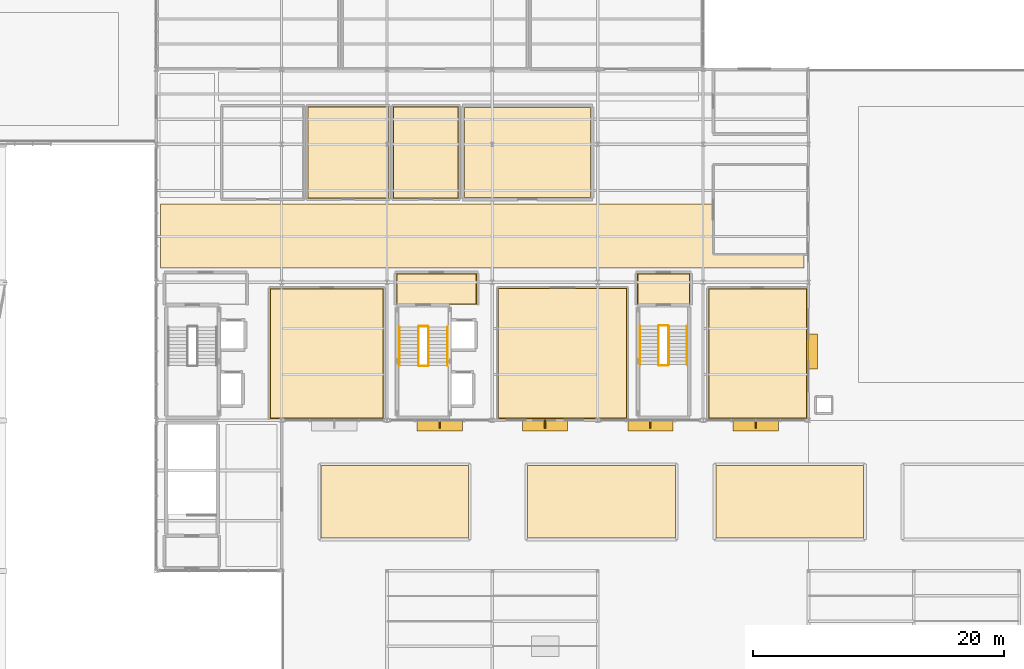
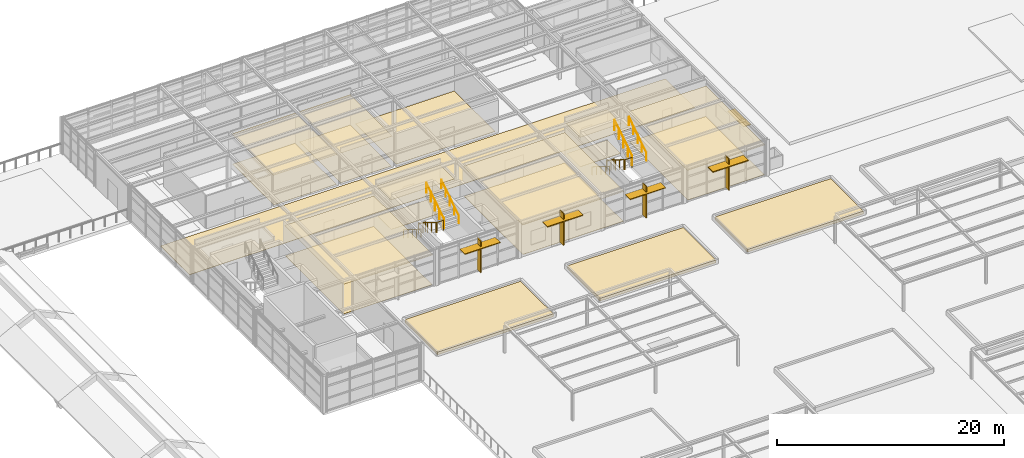
# One storey, part 48 of 49: 19 coverings, 12 railings, 9 shading devices.
"""IFC4 building model written with IfcOpenShell, lengths in metres."""

from ifc_helpers import new_model, si_unit, direction, frame, origin, origin_2d, place, context, subcontext, project, spatial, polyline, rectangle, circle, outline, extrude, material, layer, layer_set, type_object, element, save


model = new_model("IFC4")

# Units and contexts
model_context = context("Model", 3, precision=1e-05, world=origin(), true_north=direction((0.0, 1.0)))
body_context = subcontext(model_context, "Body", "Model", "MODEL_VIEW")
ifc_project = project(units=[si_unit("LENGTHUNIT", "METRE"), si_unit("AREAUNIT", "SQUARE_METRE"), si_unit("VOLUMEUNIT", "CUBIC_METRE"), si_unit("PLANEANGLEUNIT", "RADIAN"), si_unit("MASSUNIT", "GRAM", prefix="KILO")], contexts=[model_context])

# Site, building, storey
site_placement = place(None, origin())
site = spatial("IfcSite", under=ifc_project, at=site_placement, CompositionType="ELEMENT")
building_placement = place(site_placement, origin())
building = spatial("IfcBuilding", under=site, at=building_placement, Name="Sitalva Quay Ferry Terminal", CompositionType="ELEMENT")
storey_placement = place(building_placement, frame((0.0, 0.0, 10.199951171875)))
storey = spatial("IfcBuildingStorey", under=building, at=storey_placement, Name="L03", CompositionType="ELEMENT", Elevation=10.199951171875)

# Coverings
ifc_material_1 = material(Name="Perforated Marine Aluminium Acoustic Ceiling", Category="aluminium")
ifc_layer_1 = layer(ifc_material_1, 0.0400390625)
ifc_layer_set_1 = layer_set([ifc_layer_1], Name="Perforated Marine Aluminium Acoustic Ceiling")
covering_type_1 = type_object("IfcCoveringType", Name="Ceiling_AcousticBaffle_40", PredefinedType="CEILING", material=ifc_layer_set_1)
covering_1_placement = place(storey_placement, frame((0.0, 0.0, 3.2099609375)))
element("IfcCovering", 1, at=covering_1_placement, inside=storey, type_object=covering_type_1, Name="BIWTA Port Operations Open-Plan Office ceiling", PredefinedType="CEILING", context=body_context, shape_type="SweptSolid", body=[
    extrude(outline(polyline([(83.0625, 78.1201171875), (92.137451171875, 78.1201171875), (92.137451171875, 88.53759765625), (83.0625, 88.53759765625), (83.0625, 78.1201171875)])), origin(), (0.0, 0.0, 1.0), 0.0400390625),
])
covering_2_placement = place(storey_placement, frame((0.0, 0.0, 3.2099609375)))
element("IfcCovering", 2, at=covering_2_placement, inside=storey, type_object=covering_type_1, Name="Roof Park Gallery & Exhibition Lounge ceiling", PredefinedType="CEILING", context=body_context, shape_type="SweptSolid", body=[
    extrude(outline(polyline([(101.25, 78.1201171875), (111.550048828125, 78.1201171875), (111.550048828125, 88.550048828125), (101.25, 88.550048828125), (101.25, 78.1201171875)])), origin(), (0.0, 0.0, 1.0), 0.0400390625),
])
covering_3_placement = place(storey_placement, frame((0.0, 0.0, 3.2099609375)))
element("IfcCovering", 3, at=covering_3_placement, inside=storey, type_object=covering_type_1, Name="Hydrographic Survey & River Charting Suite ceiling", PredefinedType="CEILING", context=body_context, shape_type="SweptSolid", body=[
    extrude(outline(polyline([(118.012451171875, 78.1201171875), (125.8798828125, 78.1201171875), (125.8798828125, 88.53759765625), (118.012451171875, 88.53759765625), (118.012451171875, 78.1201171875)])), origin(), (0.0, 0.0, 1.0), 0.0400390625),
])
ifc_material_2 = material(Name="Moisture-Resistant Acoustic Gypsum Ceiling", Category="gypsum")
ifc_layer_2 = layer(ifc_material_2, 0.02490234375)
ifc_layer_set_2 = layer_set([ifc_layer_2], Name="Moisture-Resistant Acoustic Gypsum Ceiling")
covering_type_2 = type_object("IfcCoveringType", Name="Ceiling_GypsumMoisture_25", PredefinedType="CEILING", material=ifc_layer_set_2)
covering_4_placement = place(storey_placement, frame((0.0, 0.0, 3.22509765625)))
element("IfcCovering", 4, at=covering_4_placement, inside=storey, type_object=covering_type_2, Name="Firefighting & Lift Lobby C2 ceiling", PredefinedType="CEILING", context=body_context, shape_type="SweptSolid", body=[
    extrude(outline(polyline([(93.139892578125, 87.239990234375), (99.56005859375, 87.239990234375), (99.56005859375, 89.7099609375), (93.139892578125, 89.7099609375), (93.139892578125, 87.239990234375)])), origin(), (0.0, 0.0, 1.0), 0.02490234375),
])
covering_5_placement = place(storey_placement, frame((0.0, 0.0, 3.22509765625)))
element("IfcCovering", 5, at=covering_5_placement, inside=storey, type_object=covering_type_2, Name="Firefighting & Lift Lobby C4 ceiling", PredefinedType="CEILING", context=body_context, shape_type="SweptSolid", body=[
    extrude(outline(polyline([(112.340087890625, 87.239990234375), (116.56005859375, 87.239990234375), (116.56005859375, 89.7099609375), (112.340087890625, 89.7099609375), (112.340087890625, 87.239990234375)])), origin(), (0.0, 0.0, 1.0), 0.02490234375),
])
covering_6_placement = place(storey_placement, frame((0.0, 0.0, 3.22509765625)))
element("IfcCovering", 6, at=covering_6_placement, inside=storey, type_object=covering_type_2, Name="L03 Female Staff Toilets ceiling", PredefinedType="CEILING", context=body_context, shape_type="SweptSolid", body=[
    extrude(outline(polyline([(86.070068359375, 95.669921875), (92.530029296875, 95.669921875), (92.530029296875, 103.030029296875), (86.070068359375, 103.030029296875), (86.070068359375, 95.669921875)])), origin(), (0.0, 0.0, 1.0), 0.02490234375),
])
covering_7_placement = place(storey_placement, frame((0.0, 0.0, 3.22509765625)))
element("IfcCovering", 7, at=covering_7_placement, inside=storey, type_object=covering_type_2, Name="L03 Accessible WC ceiling", PredefinedType="CEILING", context=body_context, shape_type="SweptSolid", body=[
    extrude(outline(polyline([(92.8701171875, 95.669921875), (98.1298828125, 95.669921875), (98.1298828125, 103.030029296875), (92.8701171875, 103.030029296875), (92.8701171875, 95.669921875)])), origin(), (0.0, 0.0, 1.0), 0.02490234375),
])
ifc_material_3 = material(Name="Planted Roof Garden Soil & Native Monsoon Flora", Category="earth")
ifc_layer_3 = layer(ifc_material_3, 0.300048828125)
ifc_layer_set_3 = layer_set([ifc_layer_3], Name="Planted Roof Garden Soil & Native Monsoon Flora")
covering_type_3 = type_object("IfcCoveringType", Name="Covering_PlantedParterre_300", PredefinedType="FLOORING", material=ifc_layer_set_3)
covering_8_placement = place(storey_placement, origin())
element("IfcCovering", 8, at=covering_8_placement, inside=storey, type_object=covering_type_3, Name="Landscaped roof-park planted parterre bed 09", PredefinedType="FLOORING", context=body_context, shape_type="SweptSolid", body=[
    extrude(outline(polyline([(87.1201171875, 68.6201171875), (98.8798828125, 68.6201171875), (98.8798828125, 74.3798828125), (87.1201171875, 74.3798828125), (87.1201171875, 68.6201171875)])), origin(), (0.0, 0.0, 1.0), 0.300048828125),
])
covering_9_placement = place(storey_placement, origin())
element("IfcCovering", 9, at=covering_9_placement, inside=storey, type_object=covering_type_3, Name="Landscaped roof-park planted parterre bed 10", PredefinedType="FLOORING", context=body_context, shape_type="SweptSolid", body=[
    extrude(outline(polyline([(103.6201171875, 68.6201171875), (115.3798828125, 68.6201171875), (115.3798828125, 74.3798828125), (103.6201171875, 74.3798828125), (103.6201171875, 68.6201171875)])), origin(), (0.0, 0.0, 1.0), 0.300048828125),
])
covering_10_placement = place(storey_placement, origin())
element("IfcCovering", 10, at=covering_10_placement, inside=storey, type_object=covering_type_3, Name="Landscaped roof-park planted parterre bed 11", PredefinedType="FLOORING", context=body_context, shape_type="SweptSolid", body=[
    extrude(outline(polyline([(118.6201171875, 68.6201171875), (130.3798828125, 68.6201171875), (130.3798828125, 74.3798828125), (118.6201171875, 74.3798828125), (118.6201171875, 68.6201171875)])), origin(), (0.0, 0.0, 1.0), 0.300048828125),
])
ifc_material_4 = material(Name="Heavy-Duty Acoustic Resilient Flooring", Category="polymer")
ifc_layer_4 = layer(ifc_material_4, 0.014892578125)
ifc_layer_set_4 = layer_set([ifc_layer_4], Name="Heavy-Duty Acoustic Resilient Flooring")
covering_type_4 = type_object("IfcCoveringType", Name="Finish_AcousticVinyl_15", PredefinedType="FLOORING", material=ifc_layer_set_4)
covering_11_placement = place(storey_placement, origin())
element("IfcCovering", 11, at=covering_11_placement, inside=storey, type_object=covering_type_4, Name="BIWTA Port Operations Open-Plan Office floor finish", PredefinedType="FLOORING", context=body_context, shape_type="SweptSolid", body=[
    extrude(outline(polyline([(83.112548828125, 78.169921875), (92.08740234375, 78.169921875), (92.08740234375, 88.487548828125), (83.112548828125, 88.487548828125), (83.112548828125, 78.169921875)])), origin(), (0.0, 0.0, 1.0), 0.01513671875),
])
covering_12_placement = place(storey_placement, origin())
element("IfcCovering", 12, at=covering_12_placement, inside=storey, type_object=covering_type_4, Name="Hydrographic Survey & River Charting Suite floor finish", PredefinedType="FLOORING", context=body_context, shape_type="SweptSolid", body=[
    extrude(outline(polyline([(118.0625, 78.169921875), (125.830078125, 78.169921875), (125.830078125, 88.487548828125), (118.0625, 88.487548828125), (118.0625, 78.169921875)])), origin(), (0.0, 0.0, 1.0), 0.01513671875),
])
ifc_material_5 = material(Name="Anti-Slip Porcelain Tile", Category="ceramic")
ifc_layer_5 = layer(ifc_material_5, 0.02001953125)
ifc_layer_set_5 = layer_set([ifc_layer_5], Name="Anti-Slip Porcelain Tile")
covering_type_5 = type_object("IfcCoveringType", Name="Finish_CeramicWet_20", PredefinedType="FLOORING", material=ifc_layer_set_5)
covering_13_placement = place(storey_placement, origin())
element("IfcCovering", 13, at=covering_13_placement, inside=storey, type_object=covering_type_5, Name="L03 Female Staff Toilets floor finish", PredefinedType="FLOORING", context=body_context, shape_type="SweptSolid", body=[
    extrude(outline(polyline([(86.1201171875, 95.719970703125), (92.47998046875, 95.719970703125), (92.47998046875, 102.97998046875), (86.1201171875, 102.97998046875), (86.1201171875, 95.719970703125)])), origin(), (0.0, 0.0, 1.0), 0.02001953125),
])
covering_14_placement = place(storey_placement, origin())
element("IfcCovering", 14, at=covering_14_placement, inside=storey, type_object=covering_type_5, Name="L03 Accessible WC floor finish", PredefinedType="FLOORING", context=body_context, shape_type="SweptSolid", body=[
    extrude(outline(polyline([(92.919921875, 95.719970703125), (98.080078125, 95.719970703125), (98.080078125, 102.97998046875), (92.919921875, 102.97998046875), (92.919921875, 95.719970703125)])), origin(), (0.0, 0.0, 1.0), 0.02001953125),
])
ifc_material_6 = material(Name="Chemical-Resistant Epoxy Screed", Category="polymer")
ifc_layer_6 = layer(ifc_material_6, 0.011962890625)
ifc_layer_set_6 = layer_set([ifc_layer_6], Name="Chemical-Resistant Epoxy Screed")
covering_type_6 = type_object("IfcCoveringType", Name="Finish_EpoxyPlant_12", PredefinedType="FLOORING", material=ifc_layer_set_6)
covering_15_placement = place(storey_placement, origin())
element("IfcCovering", 15, at=covering_15_placement, inside=storey, type_object=covering_type_6, Name="Telecoms & UPS Battery Plant floor finish", PredefinedType="FLOORING", context=body_context, shape_type="SweptSolid", body=[
    extrude(outline(polyline([(98.570068359375, 95.77001953125), (108.6298828125, 95.77001953125), (108.6298828125, 102.929931640625), (98.570068359375, 102.929931640625), (98.570068359375, 95.77001953125)])), origin(), (0.0, 0.0, 1.0), 0.011962890625),
])
ifc_material_7 = material(Name="Flamed Non-Slip Granite Paving", Category="masonry")
ifc_layer_7 = layer(ifc_material_7, 0.034912109375)
ifc_layer_set_7 = layer_set([ifc_layer_7], Name="Flamed Non-Slip Granite Paving")
covering_type_7 = type_object("IfcCoveringType", Name="Finish_Granite_35", PredefinedType="FLOORING", material=ifc_layer_set_7)
covering_16_placement = place(storey_placement, origin())
element("IfcCovering", 16, at=covering_16_placement, inside=storey, type_object=covering_type_7, Name="Firefighting & Lift Lobby C2 floor finish", PredefinedType="FLOORING", context=body_context, shape_type="SweptSolid", body=[
    extrude(outline(polyline([(93.18994140625, 87.2900390625), (99.510009765625, 87.2900390625), (99.510009765625, 89.659912109375), (93.18994140625, 89.659912109375), (93.18994140625, 87.2900390625)])), origin(), (0.0, 0.0, 1.0), 0.03515625),
])
covering_17_placement = place(storey_placement, origin())
element("IfcCovering", 17, at=covering_17_placement, inside=storey, type_object=covering_type_7, Name="Firefighting & Lift Lobby C4 floor finish", PredefinedType="FLOORING", context=body_context, shape_type="SweptSolid", body=[
    extrude(outline(polyline([(112.389892578125, 87.2900390625), (116.510009765625, 87.2900390625), (116.510009765625, 89.659912109375), (112.389892578125, 89.659912109375), (112.389892578125, 87.2900390625)])), origin(), (0.0, 0.0, 1.0), 0.03515625),
])
covering_18_placement = place(storey_placement, origin())
element("IfcCovering", 18, at=covering_18_placement, inside=storey, type_object=covering_type_7, Name="L03 Maritime Administration Corridor flooring", PredefinedType="FLOORING", context=body_context, shape_type="SweptSolid", body=[
    extrude(outline(polyline([(74.35009765625, 90.14990234375), (125.64990234375, 90.14990234375), (125.64990234375, 95.25), (74.35009765625, 95.25), (74.35009765625, 90.14990234375)])), origin(), (0.0, 0.0, 1.0), 0.03515625),
])
ifc_material_8 = material(Name="Polished River-Stone Terrazzo", Category="masonry")
ifc_layer_8 = layer(ifc_material_8, 0.030029296875)
ifc_layer_set_8 = layer_set([ifc_layer_8], Name="Polished River-Stone Terrazzo")
covering_type_8 = type_object("IfcCoveringType", Name="Finish_Terrazzo_30", PredefinedType="FLOORING", material=ifc_layer_set_8)
covering_19_placement = place(storey_placement, origin())
element("IfcCovering", 19, at=covering_19_placement, inside=storey, type_object=covering_type_8, Name="Roof Park Gallery & Exhibition Lounge floor finish", PredefinedType="FLOORING", context=body_context, shape_type="SweptSolid", body=[
    extrude(outline(polyline([(101.300048828125, 78.169921875), (111.5, 78.169921875), (111.5, 88.5), (101.300048828125, 88.5), (101.300048828125, 78.169921875)])), origin(), (0.0, 0.0, 1.0), 0.030029296875),
])

# Railings
ifc_material_9 = material(Name="Galvanised Steel S275JR", Category="steel")
railing_type_1 = type_object("IfcRailingType", Name="Railing_Guard_1100", PredefinedType="GUARDRAIL", material=ifc_material_9)
railing_1_placement = place(storey_placement, frame((94.89990234375, 85.449951171875, 0.175048828125)))
element("IfcRailing", 20, at=railing_1_placement, inside=storey, type_object=railing_type_1, Name="L03 ST-02 stair guard 1", PredefinedType="GUARDRAIL", context=body_context, shape_type="SweptSolid", body=[
    extrude(circle(Radius=0.02392578125, at=origin_2d()), frame((0.0, 0.0, 1.076171875), z_axis=(0.0, -0.847979421464, 0.530029150871), x_axis=(1.0, 0.0, 0.0)), (0.0, 0.0, 1.0), 3.632080078125),
    extrude(circle(Radius=0.02099609375, at=origin_2d()), origin(), (0.0, 0.0, 1.0), 1.052001953125),
    extrude(circle(Radius=0.02099609375, at=origin_2d()), frame((0.0, -0.77001953125, 0.481201171875)), (0.0, 0.0, 1.0), 1.052001953125),
    extrude(circle(Radius=0.02099609375, at=origin_2d()), frame((0.0, -1.5400390625, 0.96240234375)), (0.0, 0.0, 1.0), 1.052001953125),
    extrude(circle(Radius=0.02099609375, at=origin_2d()), frame((0.0, -2.309814453125, 1.44384765625)), (0.0, 0.0, 1.0), 1.052001953125),
    extrude(circle(Radius=0.02099609375, at=origin_2d()), frame((0.0, -3.079833984375, 1.925048828125)), (0.0, 0.0, 1.0), 1.052001953125),
])
railing_2_placement = place(storey_placement, frame((94.949951171875, 82.320068359375, 2.10009765625)))
element("IfcRailing", 21, at=railing_2_placement, inside=storey, type_object=railing_type_1, Name="L03 ST-02 stair guard 2", PredefinedType="GUARDRAIL", context=body_context, shape_type="SweptSolid", body=[
    extrude(circle(Radius=0.02392578125, at=origin_2d()), frame((0.0, 0.0, 1.076171875), z_axis=(1.0, 0.0, 0.0), x_axis=(0.0, 1.0, 0.0)), (0.0, 0.0, 1.0), 0.699951171875),
    extrude(circle(Radius=0.02099609375, at=origin_2d()), origin(), (0.0, 0.0, 1.0), 1.052001953125),
    extrude(circle(Radius=0.02099609375, at=origin_2d()), frame((0.699951171875, 0.0, 0.0)), (0.0, 0.0, 1.0), 1.052001953125),
])
railing_3_placement = place(storey_placement, frame((95.699951171875, 82.3701171875, 2.275146484375)))
element("IfcRailing", 22, at=railing_3_placement, inside=storey, type_object=railing_type_1, Name="L03 ST-02 stair guard 3", PredefinedType="GUARDRAIL", context=body_context, shape_type="SweptSolid", body=[
    extrude(circle(Radius=0.02392578125, at=origin_2d()), frame((0.0, 0.0, 1.076171875), z_axis=(0.0, 0.848009633417, 0.529980812513), x_axis=(-1.0, 0.0, 0.0)), (0.0, 0.0, 1.0), 3.6318359375),
    extrude(circle(Radius=0.02099609375, at=origin_2d()), origin(), (0.0, 0.0, 1.0), 1.052001953125),
    extrude(circle(Radius=0.02099609375, at=origin_2d()), frame((0.0, 0.77001953125, 0.481201171875)), (0.0, 0.0, 1.0), 1.052001953125),
    extrude(circle(Radius=0.02099609375, at=origin_2d()), frame((0.0, 1.5400390625, 0.96240234375)), (0.0, 0.0, 1.0), 1.052001953125),
    extrude(circle(Radius=0.02099609375, at=origin_2d()), frame((0.0, 2.309814453125, 1.443603515625)), (0.0, 0.0, 1.0), 1.052001953125),
    extrude(circle(Radius=0.02099609375, at=origin_2d()), frame((0.0, 3.079833984375, 1.9248046875)), (0.0, 0.0, 1.0), 1.052001953125),
])
railing_4_placement = place(storey_placement, frame((94.949951171875, 85.5, 0.0)))
element("IfcRailing", 23, at=railing_4_placement, inside=storey, type_object=railing_type_1, Name="L03 ST-02 stair guard 4", PredefinedType="GUARDRAIL", context=body_context, shape_type="SweptSolid", body=[
    extrude(circle(Radius=0.02392578125, at=origin_2d()), frame((0.0, 0.0, 1.076171875), z_axis=(1.0, 0.0, 0.0), x_axis=(0.0, 1.0, 0.0)), (0.0, 0.0, 1.0), 0.699951171875),
    extrude(circle(Radius=0.02099609375, at=origin_2d()), origin(), (0.0, 0.0, 1.0), 1.052001953125),
    extrude(circle(Radius=0.02099609375, at=origin_2d()), frame((0.699951171875, 0.0, 0.0)), (0.0, 0.0, 1.0), 1.052001953125),
])
railing_5_placement = place(storey_placement, frame((114.0400390625, 85.510009765625, 0.175048828125)))
element("IfcRailing", 24, at=railing_5_placement, inside=storey, type_object=railing_type_1, Name="L03 ST-04 stair guard 1", PredefinedType="GUARDRAIL", context=body_context, shape_type="SweptSolid", body=[
    extrude(circle(Radius=0.02392578125, at=origin_2d()), frame((0.0, 0.0, 1.076171875), z_axis=(0.0, -0.847998304005, 0.529998940003), x_axis=(1.0, 0.0, 0.0)), (0.0, 0.0, 1.0), 3.632080078125),
    extrude(circle(Radius=0.02099609375, at=origin_2d()), origin(), (0.0, 0.0, 1.0), 1.052001953125),
    extrude(circle(Radius=0.02099609375, at=origin_2d()), frame((0.0, -0.77001953125, 0.481201171875)), (0.0, 0.0, 1.0), 1.052001953125),
    extrude(circle(Radius=0.02099609375, at=origin_2d()), frame((0.0, -1.5400390625, 0.96240234375)), (0.0, 0.0, 1.0), 1.052001953125),
    extrude(circle(Radius=0.02099609375, at=origin_2d()), frame((0.0, -2.31005859375, 1.44384765625)), (0.0, 0.0, 1.0), 1.052001953125),
    extrude(circle(Radius=0.02099609375, at=origin_2d()), frame((0.0, -3.080078125, 1.925048828125)), (0.0, 0.0, 1.0), 1.052001953125),
])
railing_6_placement = place(storey_placement, frame((114.090087890625, 82.3798828125, 2.10009765625)))
element("IfcRailing", 25, at=railing_6_placement, inside=storey, type_object=railing_type_1, Name="L03 ST-04 stair guard 2", PredefinedType="GUARDRAIL", context=body_context, shape_type="SweptSolid", body=[
    extrude(circle(Radius=0.02392578125, at=origin_2d()), frame((0.0, 0.0, 1.076171875), z_axis=(1.0, 0.0, 0.0), x_axis=(0.0, 1.0, 0.0)), (0.0, 0.0, 1.0), 0.719970703125),
    extrude(circle(Radius=0.02099609375, at=origin_2d()), origin(), (0.0, 0.0, 1.0), 1.052001953125),
    extrude(circle(Radius=0.02099609375, at=origin_2d()), frame((0.719970703125, 0.0, 0.0)), (0.0, 0.0, 1.0), 1.052001953125),
])
railing_7_placement = place(storey_placement, frame((114.860107421875, 82.429931640625, 2.275146484375)))
element("IfcRailing", 26, at=railing_7_placement, inside=storey, type_object=railing_type_1, Name="L03 ST-04 stair guard 3", PredefinedType="GUARDRAIL", context=body_context, shape_type="SweptSolid", body=[
    extrude(circle(Radius=0.02392578125, at=origin_2d()), frame((0.0, 0.0, 1.076171875), z_axis=(0.0, 0.848028513186, 0.529950602248), x_axis=(-1.0, 0.0, 0.0)), (0.0, 0.0, 1.0), 3.632080078125),
    extrude(circle(Radius=0.02099609375, at=origin_2d()), origin(), (0.0, 0.0, 1.0), 1.052001953125),
    extrude(circle(Radius=0.02099609375, at=origin_2d()), frame((0.0, 0.77001953125, 0.481201171875)), (0.0, 0.0, 1.0), 1.052001953125),
    extrude(circle(Radius=0.02099609375, at=origin_2d()), frame((0.0, 1.5400390625, 0.96240234375)), (0.0, 0.0, 1.0), 1.052001953125),
    extrude(circle(Radius=0.02099609375, at=origin_2d()), frame((0.0, 2.31005859375, 1.443603515625)), (0.0, 0.0, 1.0), 1.052001953125),
    extrude(circle(Radius=0.02099609375, at=origin_2d()), frame((0.0, 3.080078125, 1.9248046875)), (0.0, 0.0, 1.0), 1.052001953125),
])
railing_8_placement = place(storey_placement, frame((114.090087890625, 85.56005859375, 0.0)))
element("IfcRailing", 27, at=railing_8_placement, inside=storey, type_object=railing_type_1, Name="L03 ST-04 stair guard 4", PredefinedType="GUARDRAIL", context=body_context, shape_type="SweptSolid", body=[
    extrude(circle(Radius=0.02392578125, at=origin_2d()), frame((0.0, 0.0, 1.076171875), z_axis=(1.0, 0.0, 0.0), x_axis=(0.0, 1.0, 0.0)), (0.0, 0.0, 1.0), 0.719970703125),
    extrude(circle(Radius=0.02099609375, at=origin_2d()), origin(), (0.0, 0.0, 1.0), 1.052001953125),
    extrude(circle(Radius=0.02099609375, at=origin_2d()), frame((0.719970703125, 0.0, 0.0)), (0.0, 0.0, 1.0), 1.052001953125),
])
ifc_material_10 = material(Name="Stainless Steel 316L", Category="steel")
railing_type_2 = type_object("IfcRailingType", Name="Railing_Handrail_900", PredefinedType="HANDRAIL", material=ifc_material_10)
railing_9_placement = place(storey_placement, frame((93.3798828125, 85.449951171875, 0.175048828125)))
element("IfcRailing", 28, at=railing_9_placement, inside=storey, type_object=railing_type_2, Name="L03 ST-02 stair handrail 1", PredefinedType="HANDRAIL", context=body_context, shape_type="SweptSolid", body=[
    extrude(circle(Radius=0.02392578125, at=origin_2d()), frame((0.0, 0.0, 0.8759765625), z_axis=(0.0, -0.847979421464, 0.530029150871), x_axis=(1.0, 0.0, 0.0)), (0.0, 0.0, 1.0), 3.632080078125),
    extrude(circle(Radius=0.02099609375, at=origin_2d()), origin(), (0.0, 0.0, 1.0), 0.851806640625),
    extrude(circle(Radius=0.02099609375, at=origin_2d()), frame((0.0, -0.77001953125, 0.481201171875)), (0.0, 0.0, 1.0), 0.851806640625),
    extrude(circle(Radius=0.02099609375, at=origin_2d()), frame((0.0, -1.5400390625, 0.96240234375)), (0.0, 0.0, 1.0), 0.851806640625),
    extrude(circle(Radius=0.02099609375, at=origin_2d()), frame((0.0, -2.309814453125, 1.44384765625)), (0.0, 0.0, 1.0), 0.851806640625),
    extrude(circle(Radius=0.02099609375, at=origin_2d()), frame((0.0, -3.079833984375, 1.925048828125)), (0.0, 0.0, 1.0), 0.851806640625),
])
railing_10_placement = place(storey_placement, frame((97.219970703125, 82.3701171875, 2.275146484375)))
element("IfcRailing", 29, at=railing_10_placement, inside=storey, type_object=railing_type_2, Name="L03 ST-02 stair handrail 2", PredefinedType="HANDRAIL", context=body_context, shape_type="SweptSolid", body=[
    extrude(circle(Radius=0.02392578125, at=origin_2d()), frame((0.0, 0.0, 0.8759765625), z_axis=(0.0, 0.848009633417, 0.529980812513), x_axis=(-1.0, 0.0, 0.0)), (0.0, 0.0, 1.0), 3.6318359375),
    extrude(circle(Radius=0.02099609375, at=origin_2d()), origin(), (0.0, 0.0, 1.0), 0.851806640625),
    extrude(circle(Radius=0.02099609375, at=origin_2d()), frame((0.0, 0.77001953125, 0.481201171875)), (0.0, 0.0, 1.0), 0.851806640625),
    extrude(circle(Radius=0.02099609375, at=origin_2d()), frame((0.0, 1.5400390625, 0.96240234375)), (0.0, 0.0, 1.0), 0.851806640625),
    extrude(circle(Radius=0.02099609375, at=origin_2d()), frame((0.0, 2.309814453125, 1.443603515625)), (0.0, 0.0, 1.0), 0.851806640625),
    extrude(circle(Radius=0.02099609375, at=origin_2d()), frame((0.0, 3.079833984375, 1.9248046875)), (0.0, 0.0, 1.0), 0.851806640625),
])
railing_11_placement = place(storey_placement, frame((112.580078125, 85.510009765625, 0.175048828125)))
element("IfcRailing", 30, at=railing_11_placement, inside=storey, type_object=railing_type_2, Name="L03 ST-04 stair handrail 1", PredefinedType="HANDRAIL", context=body_context, shape_type="SweptSolid", body=[
    extrude(circle(Radius=0.02392578125, at=origin_2d()), frame((0.0, 0.0, 0.8759765625), z_axis=(0.0, -0.847998304005, 0.529998940003), x_axis=(1.0, 0.0, 0.0)), (0.0, 0.0, 1.0), 3.632080078125),
    extrude(circle(Radius=0.02099609375, at=origin_2d()), origin(), (0.0, 0.0, 1.0), 0.851806640625),
    extrude(circle(Radius=0.02099609375, at=origin_2d()), frame((0.0, -0.77001953125, 0.481201171875)), (0.0, 0.0, 1.0), 0.851806640625),
    extrude(circle(Radius=0.02099609375, at=origin_2d()), frame((0.0, -1.5400390625, 0.96240234375)), (0.0, 0.0, 1.0), 0.851806640625),
    extrude(circle(Radius=0.02099609375, at=origin_2d()), frame((0.0, -2.31005859375, 1.44384765625)), (0.0, 0.0, 1.0), 0.851806640625),
    extrude(circle(Radius=0.02099609375, at=origin_2d()), frame((0.0, -3.080078125, 1.925048828125)), (0.0, 0.0, 1.0), 0.851806640625),
])
railing_12_placement = place(storey_placement, frame((116.320068359375, 82.429931640625, 2.275146484375)))
element("IfcRailing", 31, at=railing_12_placement, inside=storey, type_object=railing_type_2, Name="L03 ST-04 stair handrail 2", PredefinedType="HANDRAIL", context=body_context, shape_type="SweptSolid", body=[
    extrude(circle(Radius=0.02392578125, at=origin_2d()), frame((0.0, 0.0, 0.8759765625), z_axis=(0.0, 0.848028513186, 0.529950602248), x_axis=(-1.0, 0.0, 0.0)), (0.0, 0.0, 1.0), 3.632080078125),
    extrude(circle(Radius=0.02099609375, at=origin_2d()), origin(), (0.0, 0.0, 1.0), 0.851806640625),
    extrude(circle(Radius=0.02099609375, at=origin_2d()), frame((0.0, 0.77001953125, 0.481201171875)), (0.0, 0.0, 1.0), 0.851806640625),
    extrude(circle(Radius=0.02099609375, at=origin_2d()), frame((0.0, 1.5400390625, 0.96240234375)), (0.0, 0.0, 1.0), 0.851806640625),
    extrude(circle(Radius=0.02099609375, at=origin_2d()), frame((0.0, 2.31005859375, 1.443603515625)), (0.0, 0.0, 1.0), 0.851806640625),
    extrude(circle(Radius=0.02099609375, at=origin_2d()), frame((0.0, 3.080078125, 1.9248046875)), (0.0, 0.0, 1.0), 0.851806640625),
])

# Shading devices
ifc_material_11 = material(Name="Anodised Marine Aluminium 6063-T6", Category="aluminium")
shading_device_type_1 = type_object("IfcShadingDeviceType", Name="Shade_HorizontalLouvre_750", PredefinedType="USERDEFINED", material=ifc_material_11)
shading_device_placement = place(storey_placement, frame((126.344970703125, 83.5, 2.66259765625), z_axis=(0.0, 0.0, 1.0), x_axis=(1.0, 0.0, 0.0)))
element("IfcShadingDevice", 32, at=shading_device_placement, inside=storey, type_object=shading_device_type_1, Name="Monsoon sunshade canopy BS-095", ObjectType="SUNSHADE", PredefinedType="USERDEFINED", context=body_context, shape_type="SweptSolid", body=[
    extrude(rectangle(XDim=0.75, YDim=2.800048828125, at=origin_2d()), origin(), (0.0, 0.0, 1.0), 0.074951171875),
])
ifc_material_12 = material(Name="Anodised Marine Aluminium 6063-T6", Category="aluminium")
shading_device_type_2 = type_object("IfcShadingDeviceType", Name="Shade_HorizontalLouvre_900", PredefinedType="USERDEFINED", material=ifc_material_12)
for number, where, z_axis, x_axis, name in (
    (33, (96.60009765625, 77.580078125, 2.907470703125), (0.0, 0.0, 1.0), (1.0, 0.0, 0.0), "Monsoon sunshade canopy BS-087"),
    (34, (105.0, 77.580078125, 2.907470703125), (0.0, 0.0, 1.0), (1.0, 0.0, 0.0), "Monsoon sunshade canopy BS-089"),
    (35, (113.39990234375, 77.580078125, 2.907470703125), (0.0, 0.0, 1.0), (1.0, 0.0, 0.0), "Monsoon sunshade canopy BS-091"),
    (36, (121.800048828125, 77.580078125, 2.907470703125), (0.0, 0.0, 1.0), (1.0, 0.0, 0.0), "Monsoon sunshade canopy BS-093"),
):
    element("IfcShadingDevice", number, at=place(storey_placement, frame(where, z_axis=z_axis, x_axis=x_axis)), inside=storey, type_object=shading_device_type_2, Name=name, ObjectType="SUNSHADE", PredefinedType="USERDEFINED", context=body_context, shape_type="SweptSolid", body=[
        extrude(rectangle(XDim=3.60009765625, YDim=0.89990234375, at=origin_2d()), origin(), (0.0, 0.0, 1.0), 0.0849609375),
    ])
ifc_material_13 = material(Name="Anodised Marine Aluminium 6063-T6", Category="aluminium")
shading_device_type_3 = type_object("IfcShadingDeviceType", Name="Shade_VerticalFin_650", PredefinedType="JALOUSIE", material=ifc_material_13)
for number, where, z_axis, x_axis, name in (
    (37, (96.60009765625, 77.705078125, 0.2001953125), (0.0, 0.0, 1.0), (1.0, 0.0, 0.0), "Vertical monsoon fin BS-088"),
    (38, (105.0, 77.705078125, 0.2001953125), (0.0, 0.0, 1.0), (1.0, 0.0, 0.0), "Vertical monsoon fin BS-090"),
    (39, (113.39990234375, 77.705078125, 0.2001953125), (0.0, 0.0, 1.0), (1.0, 0.0, 0.0), "Vertical monsoon fin BS-092"),
    (40, (121.800048828125, 77.705078125, 0.2001953125), (0.0, 0.0, 1.0), (1.0, 0.0, 0.0), "Vertical monsoon fin BS-094"),
):
    element("IfcShadingDevice", number, at=place(storey_placement, frame(where, z_axis=z_axis, x_axis=x_axis)), inside=storey, type_object=shading_device_type_3, Name=name, PredefinedType="JALOUSIE", context=body_context, shape_type="SweptSolid", body=[
        extrude(rectangle(XDim=0.090087890625, YDim=0.64990234375, at=origin_2d()), origin(), (0.0, 0.0, 1.0), 3.39990234375),
    ])

save(model, "model.ifc")
